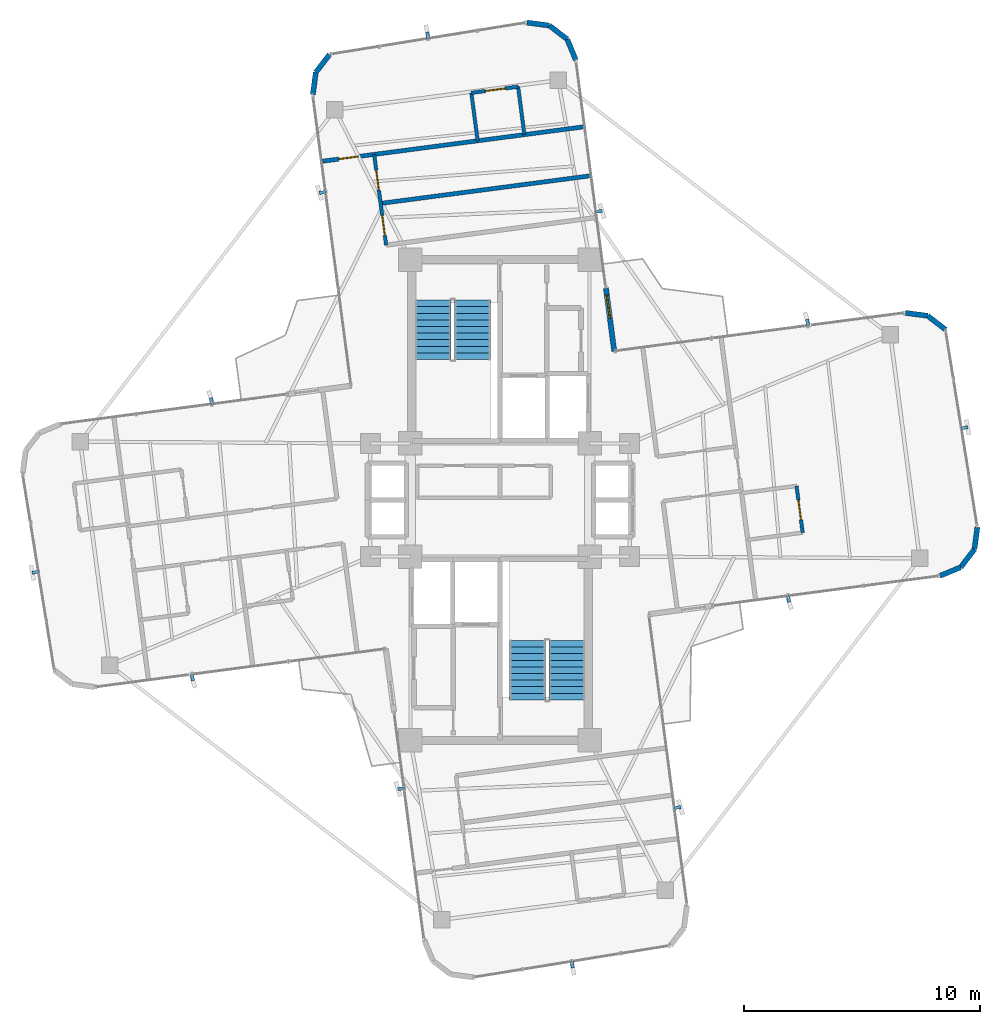
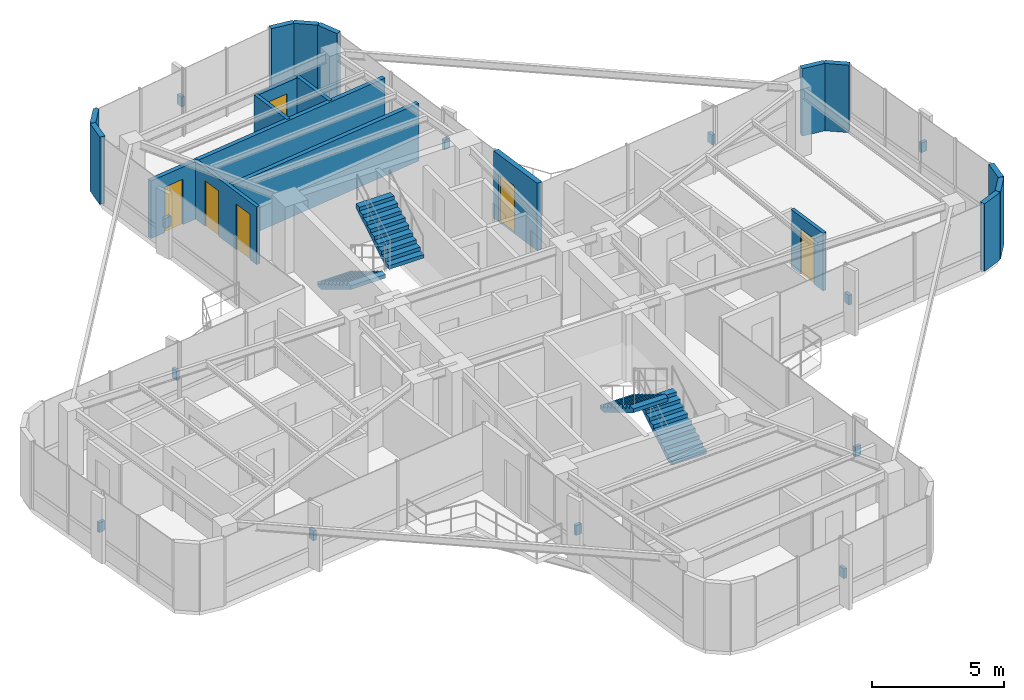
# One storey, part 21 of 22: 18 walls, 12 discrete accessories, 6 doors, 4 stair flights, 6 openings, 2 elements without a shape of their own.
"""IFC4 building model written with IfcOpenShell, lengths in metres."""

from ifc_helpers import new_model, si_unit, direction, frame, frame_2d, origin, origin_2d, place, context, subcontext, project, spatial, polyline, rectangle, outline, extrude, source, transform, mapped, material, layer, layer_set, type_object, element, fill, aggregate, save


model = new_model("IFC4")

# Units and contexts
model_context = context("Model", 3, precision=1e-05, world=origin(), true_north=direction((0.0, 1.0)))
body_context = subcontext(model_context, "Body", "Model", "MODEL_VIEW")
ifc_project = project(units=[si_unit("LENGTHUNIT", "METRE"), si_unit("AREAUNIT", "SQUARE_METRE"), si_unit("VOLUMEUNIT", "CUBIC_METRE"), si_unit("PLANEANGLEUNIT", "RADIAN"), si_unit("MASSUNIT", "GRAM", prefix="KILO")], contexts=[model_context])

# Site, building, storey
site_placement = place(None, origin())
site = spatial("IfcSite", under=ifc_project, at=site_placement, CompositionType="ELEMENT")
building_placement = place(site_placement, origin())
building = spatial("IfcBuilding", under=site, at=building_placement, Name="Sahyath Konkavel Grand Hotel", CompositionType="ELEMENT")
storey_placement = place(building_placement, frame((0.0, 0.0, 234.449951171875)))
storey = spatial("IfcBuildingStorey", under=building, at=storey_placement, Name="L65", CompositionType="ELEMENT", Elevation=234.449951171875)

# Walls
ifc_material_1 = material(Name="Warm Buff Sandstone Insulated Concrete C40/50", Category="masonry")
ifc_layer_1 = layer(ifc_material_1, 0.219970703125)
ifc_layer_set_1 = layer_set([ifc_layer_1], Name="Warm Buff Sandstone Insulated Concrete C40/50")
wall_type_1 = type_object("IfcWallType", Name="WLL-BALC-THRESH", PredefinedType="STANDARD", material=ifc_layer_set_1)
wall_1_placement = place(storey_placement, frame((18.6630859375, -3.220458984375, 0.0), z_axis=(0.0, 0.0, 1.0), x_axis=(0.923889442397, 0.382659506909, 0.0)))
element("IfcWall", 1, at=wall_1_placement, inside=storey, type_object=wall_type_1, Name="L65 Rounded Corner Sandstone Pier 1", PredefinedType="STANDARD", context=body_context, shape_type="SweptSolid", body=[
    extrude(rectangle(XDim=0.957763671875, YDim=0.219970703125, at=frame_2d((0.47900390625, 0.0))), origin(), (0.0, 0.0, 1.0), 3.110107421875),
])
for number, where, z_axis, x_axis, name in (
    (2, (19.5478515625, -2.85400390625, 0.0), (0.0, 0.0, 1.0), (0.60861352168, 0.793466811674, 0.0), "L65 Rounded Corner Sandstone Pier 2"),
    (3, (20.130615234375, -2.09423828125, 0.0), (0.0, 0.0, 1.0), (0.13056005306, 0.991440402921, 0.0), "L65 Rounded Corner Sandstone Pier 3"),
    (4, (18.902587890625, 7.233154296875, 0.0), (0.0, 0.0, 1.0), (-0.793249178392, 0.608897151398, 0.0), "L65 Rounded Corner Sandstone Pier 5"),
):
    element("IfcWall", number, at=place(storey_placement, frame(where, z_axis=z_axis, x_axis=x_axis)), inside=storey, type_object=wall_type_1, Name=name, PredefinedType="STANDARD", context=body_context, shape_type="SweptSolid", body=[
        extrude(rectangle(XDim=0.95751953125, YDim=0.219970703125, at=frame_2d((0.478759765625, 0.0))), origin(), (0.0, 0.0, 1.0), 3.110107421875),
    ])
wall_2_placement = place(storey_placement, frame((18.14306640625, 7.816162109375, 0.0), z_axis=(0.0, 0.0, 1.0), x_axis=(-0.991444747987, 0.130527053476, 0.0)))
element("IfcWall", 5, at=wall_2_placement, inside=storey, type_object=wall_type_1, Name="L65 Rounded Corner Sandstone Pier 6", PredefinedType="STANDARD", context=body_context, shape_type="SweptSolid", body=[
    extrude(rectangle(XDim=0.957763671875, YDim=0.219970703125, at=frame_2d((0.47900390625, 0.0))), origin(), (0.0, 0.0, 1.0), 3.110107421875),
])

# Wall, opening, door
wall_3_placement = place(storey_placement, frame((4.84619140625, 6.315673828125, 0.0), z_axis=(0.0, 0.0, 1.0), x_axis=(-0.130576147498, 0.991438283356, 0.0)))
wall_3 = element("IfcWall", 6, at=wall_3_placement, inside=storey, type_object=wall_type_1, Name="L65 Winter-Garden Threshold Wall 8", PredefinedType="STANDARD", context=body_context, shape_type="SweptSolid", body=[
    extrude(rectangle(XDim=2.699951171875, YDim=0.219970703125, at=frame_2d((1.35009765625, 0.0))), origin(), (0.0, 0.0, 1.0), 3.110107421875),
])
opening_1_placement = place(wall_3_placement, frame((1.39990234375, 0.0, 0.0)))
opening_1 = element("IfcOpeningElement", 7, at=opening_1_placement, cuts=wall_3, Name="Opening D-TR1", PredefinedType="OPENING", context=body_context, shape_type="SweptSolid", body=[
    extrude(rectangle(XDim=1.0, YDim=2.199951171875, at=frame_2d((0.5, 1.10009765625))), frame((0.0, 0.1201171875, 0.0), z_axis=(0.0, -1.0, 0.0), x_axis=(1.0, 0.0, 0.0)), (0.0, 0.0, 1.0), 0.239990234375),
])
ifc_material_2 = material(Name="Anodised Bronze Aluminium & Low-E Glazing", Category="aluminium")
door_type_1 = type_object("IfcDoorType", Name="DR-TERRACE-1000", OperationType="NOTDEFINED", PredefinedType="DOOR", material=ifc_material_2)
shared_shape_1 = source(origin(), body_context, "Body", "SweptSolid", [
    extrude(rectangle(XDim=1.0, YDim=0.050048828125, at=origin_2d()), origin(), (0.0, 0.0, 1.0), 2.199951171875),
])
door_1_placement = place(opening_1_placement, frame((0.5, 0.0, 0.0)))
door_1 = element("IfcDoor", 8, at=door_1_placement, inside=storey, type_object=door_type_1, Name="L65 Winter-Garden Terrace Door 8", OperationType="SINGLE_SWING_LEFT", OverallHeight=2.199951171875, OverallWidth=1.0, PredefinedType="DOOR", context=body_context, shape_type="MappedRepresentation", body=[
    mapped(shared_shape_1, transform((0.0, 0.0, 0.0), scale=1.0)),
])
fill(opening_1, door_1)

# Walls
wall_4_placement = place(storey_placement, frame((3.220458984375, 18.6630859375, 0.0), z_axis=(0.0, 0.0, 1.0), x_axis=(-0.382659506909, 0.923889442397, 0.0)))
element("IfcWall", 9, at=wall_4_placement, inside=storey, type_object=wall_type_1, Name="L65 Rounded Corner Sandstone Pier 9", PredefinedType="STANDARD", context=body_context, shape_type="SweptSolid", body=[
    extrude(rectangle(XDim=0.957763671875, YDim=0.219970703125, at=frame_2d((0.47900390625, 0.0))), origin(), (0.0, 0.0, 1.0), 3.110107421875),
])
for number, where, z_axis, x_axis, name in (
    (10, (2.85400390625, 19.5478515625, 0.0), (0.0, 0.0, 1.0), (-0.793466811674, 0.60861352168, 0.0), "L65 Rounded Corner Sandstone Pier 10"),
    (11, (2.09423828125, 20.130615234375, 0.0), (0.0, 0.0, 1.0), (-0.991440402921, 0.13056005306, 0.0), "L65 Rounded Corner Sandstone Pier 11"),
    (12, (-7.233154296875, 18.902587890625, 0.0), (0.0, 0.0, 1.0), (-0.608897151398, -0.793249178392, 0.0), "L65 Rounded Corner Sandstone Pier 13"),
):
    element("IfcWall", number, at=place(storey_placement, frame(where, z_axis=z_axis, x_axis=x_axis)), inside=storey, type_object=wall_type_1, Name=name, PredefinedType="STANDARD", context=body_context, shape_type="SweptSolid", body=[
        extrude(rectangle(XDim=0.95751953125, YDim=0.219970703125, at=frame_2d((0.478759765625, 0.0))), origin(), (0.0, 0.0, 1.0), 3.110107421875),
    ])
wall_5_placement = place(storey_placement, frame((-7.816162109375, 18.14306640625, 0.0), z_axis=(0.0, 0.0, 1.0), x_axis=(-0.130527053476, -0.991444747987, 0.0)))
element("IfcWall", 13, at=wall_5_placement, inside=storey, type_object=wall_type_1, Name="L65 Rounded Corner Sandstone Pier 14", PredefinedType="STANDARD", context=body_context, shape_type="SweptSolid", body=[
    extrude(rectangle(XDim=0.957763671875, YDim=0.219970703125, at=frame_2d((0.47900390625, 0.0))), origin(), (0.0, 0.0, 1.0), 3.110107421875),
])
ifc_material_3 = material(Name="Twin-Stud Acoustic Gypsum Plasterboard Partition")
ifc_layer_2 = layer(ifc_material_3, 0.179931640625)
ifc_layer_set_2 = layer_set([ifc_layer_2], Name="Twin-Stud Acoustic Gypsum Plasterboard Partition")
wall_type_2 = type_object("IfcWallType", Name="WLL-DEMISE-180", PredefinedType="PARTITIONING", material=ifc_layer_set_2)
wall_6_placement = place(storey_placement, frame((-5.064697265625, 12.58251953125, 0.0), z_axis=(0.0, 0.0, 1.0), x_axis=(0.991445759155, 0.130519372714, 0.0)))
element("IfcWall", 14, at=wall_6_placement, inside=storey, type_object=wall_type_2, Name="L65 Partition N-ND1-DEM", PredefinedType="PARTITIONING", context=body_context, shape_type="SweptSolid", body=[
    extrude(rectangle(XDim=8.9580078125, YDim=0.179931640625, at=frame_2d((4.47900390625, 0.0))), origin(), (0.0, 0.0, 1.0), 2.66015625),
])

# Wall, opening, door
wall_7_placement = place(storey_placement, frame((3.54296875, 15.830810546875, 0.0), z_axis=(0.0, 0.0, 1.0), x_axis=(-0.991446101459, -0.130516772493, 0.0)))
wall_7 = element("IfcWall", 15, at=wall_7_placement, inside=storey, type_object=wall_type_2, Name="L65 Partition N-NTIP-END", PredefinedType="PARTITIONING", context=body_context, shape_type="SweptSolid", body=[
    extrude(rectangle(XDim=11.157958984375, YDim=0.179931640625, at=frame_2d((5.5791015625, 0.0))), origin(), (0.0, 0.0, 1.0), 2.66015625),
])
opening_2_placement = place(wall_7_placement, frame((9.633056640625, 0.0, 0.0)))
opening_2 = element("IfcOpeningElement", 16, at=opening_2_placement, cuts=wall_7, Name="Opening D-F06D", PredefinedType="OPENING", context=body_context, shape_type="SweptSolid", body=[
    extrude(rectangle(XDim=0.85009765625, YDim=2.10009765625, at=frame_2d((0.425048828125, 1.050048828125))), frame((0.0, 0.10009765625, 0.0), z_axis=(0.0, -1.0, 0.0), x_axis=(1.0, 0.0, 0.0)), (0.0, 0.0, 1.0), 0.199951171875),
])
ifc_material_4 = material(Name="Fire-Rated Shaft Access Door")
door_type_2 = type_object("IfcDoorType", Name="DR-FD60-850", OperationType="NOTDEFINED", PredefinedType="DOOR", material=ifc_material_4)
shared_shape_2 = source(origin(), body_context, "Body", "SweptSolid", [
    extrude(rectangle(XDim=0.85009765625, YDim=0.050048828125, at=origin_2d()), origin(), (0.0, 0.0, 1.0), 2.10009765625),
])
door_2_placement = place(opening_2_placement, frame((0.425048828125, 0.0, 0.0)))
door_2 = element("IfcDoor", 17, at=door_2_placement, inside=storey, type_object=door_type_2, Name="L65 Door N-NTIP-ED", OperationType="SINGLE_SWING_RIGHT", OverallHeight=2.10009765625, OverallWidth=0.85009765625, PredefinedType="DOOR", context=body_context, shape_type="MappedRepresentation", body=[
    mapped(shared_shape_2, transform((0.0, 0.0, 0.0), scale=1.0)),
])
fill(opening_2, door_2)

ifc_material_5 = material(Name="Fire-Rated Gypsum Plasterboard Partition")
ifc_layer_3 = layer(ifc_material_5, 0.14990234375)
ifc_layer_set_3 = layer_set([ifc_layer_3], Name="Fire-Rated Gypsum Plasterboard Partition")
wall_type_3 = type_object("IfcWallType", Name="WLL-PART-150", PredefinedType="PARTITIONING", material=ifc_layer_set_3)
wall_8_placement = place(storey_placement, frame((12.8408203125, -1.3857421875, 0.0), z_axis=(0.0, 0.0, 1.0), x_axis=(-0.130612392842, 0.991433509034, 0.0)))
wall_8 = element("IfcWall", 18, at=wall_8_placement, inside=storey, type_object=wall_type_3, Name="L65 Partition E-ETIP-BE", PredefinedType="PARTITIONING", context=body_context, shape_type="SweptSolid", body=[
    extrude(rectangle(XDim=2.0, YDim=0.14990234375, at=frame_2d((1.0, 0.0))), origin(), (0.0, 0.0, 1.0), 2.66015625),
])
opening_3_placement = place(wall_8_placement, frame((0.550048828125, 0.0, 0.0)))
opening_3 = element("IfcOpeningElement", 19, at=opening_3_placement, cuts=wall_8, Name="Opening D-BT85", PredefinedType="OPENING", context=body_context, shape_type="SweptSolid", body=[
    extrude(rectangle(XDim=0.85009765625, YDim=2.10009765625, at=frame_2d((0.425048828125, 1.050048828125))), frame((0.0, 0.0849609375, 0.0), z_axis=(0.0, -1.0, 0.0), x_axis=(1.0, 0.0, 0.0)), (0.0, 0.0, 1.0), 0.169921875),
])
ifc_material_6 = material(Name="Moisture-Resistant Teak Bathroom Door")
door_type_3 = type_object("IfcDoorType", Name="DR-BATH-850", OperationType="NOTDEFINED", PredefinedType="DOOR", material=ifc_material_6)
door_3_placement = place(opening_3_placement, frame((0.425048828125, 0.0, 0.0)))
door_3 = element("IfcDoor", 20, at=door_3_placement, inside=storey, type_object=door_type_3, Name="L65 Door E-ETIP-BD", OperationType="SINGLE_SWING_LEFT", OverallHeight=2.10009765625, OverallWidth=0.85009765625, PredefinedType="DOOR", context=body_context, shape_type="MappedRepresentation", body=[
    mapped(shared_shape_2, transform((0.0, 0.0, 0.0), scale=1.0)),
])
fill(opening_3, door_3)

# Wall, openings, doors
wall_9_placement = place(storey_placement, frame((-4.83154296875, 10.81201171875, 0.0), z_axis=(0.0, 0.0, 1.0), x_axis=(-0.130532584045, 0.991444019853, 0.0)))
wall_9 = element("IfcWall", 21, at=wall_9_placement, inside=storey, type_object=wall_type_3, Name="L65 Partition N-G5W", PredefinedType="PARTITIONING", context=body_context, shape_type="SweptSolid", body=[
    extrude(rectangle(XDim=3.8828125, YDim=0.14990234375, at=frame_2d((1.94140625, 0.0))), origin(), (0.0, 0.0, 1.0), 2.66015625),
])
opening_4_placement = place(wall_9_placement, frame((0.41796875, 0.0, 0.0)))
opening_4 = element("IfcOpeningElement", 22, at=opening_4_placement, cuts=wall_9, Name="Opening D-F06D", PredefinedType="OPENING", context=body_context, shape_type="SweptSolid", body=[
    extrude(rectangle(XDim=0.85009765625, YDim=2.10009765625, at=frame_2d((0.425048828125, 1.050048828125))), frame((0.0, 0.0849609375, 0.0), z_axis=(0.0, -1.0, 0.0), x_axis=(1.0, 0.0, 0.0)), (0.0, 0.0, 1.0), 0.169921875),
])
opening_5_placement = place(wall_9_placement, frame((2.360107421875, 0.0, 0.0)))
opening_5 = element("IfcOpeningElement", 23, at=opening_5_placement, cuts=wall_9, Name="Opening D-F06D", PredefinedType="OPENING", context=body_context, shape_type="SweptSolid", body=[
    extrude(rectangle(XDim=0.85009765625, YDim=2.10009765625, at=frame_2d((0.425048828125, 1.050048828125))), frame((0.0, 0.0849609375, 0.0), z_axis=(0.0, -1.0, 0.0), x_axis=(1.0, 0.0, 0.0)), (0.0, 0.0, 1.0), 0.169921875),
])
door_4_placement = place(opening_4_placement, frame((0.425048828125, 0.0, 0.0)))
door_4 = element("IfcDoor", 24, at=door_4_placement, inside=storey, type_object=door_type_2, Name="L65 Door N-ND1-D", OperationType="SINGLE_SWING_LEFT", OverallHeight=2.10009765625, OverallWidth=0.85009765625, PredefinedType="DOOR", context=body_context, shape_type="MappedRepresentation", body=[
    mapped(shared_shape_2, transform((0.0, 0.0, 0.0), scale=1.0)),
])
fill(opening_4, door_4)
door_5_placement = place(opening_5_placement, frame((0.425048828125, 0.0, 0.0)))
door_5 = element("IfcDoor", 25, at=door_5_placement, inside=storey, type_object=door_type_2, Name="L65 Door N-ND2-D", OperationType="SINGLE_SWING_RIGHT", OverallHeight=2.10009765625, OverallWidth=0.85009765625, PredefinedType="DOOR", context=body_context, shape_type="MappedRepresentation", body=[
    mapped(shared_shape_2, transform((0.0, 0.0, 0.0), scale=1.0)),
])
fill(opening_5, door_5)

# Walls
for number, where, z_axis, x_axis, name in (
    (26, (-0.947265625, 15.23974609375, 0.0), (0.0, 0.0, 1.0), (-0.13052536781, 0.991444969909, 0.0), "L65 Partition N-NTIP-BN"),
    (27, (1.03564453125, 15.500732421875, 0.0), (0.0, 0.0, 1.0), (-0.13052536781, 0.991444969909, 0.0), "L65 Partition N-NTIP-BS"),
):
    element("IfcWall", number, at=place(storey_placement, frame(where, z_axis=z_axis, x_axis=x_axis)), inside=storey, type_object=wall_type_3, Name=name, PredefinedType="PARTITIONING", context=body_context, shape_type="SweptSolid", body=[
        extrude(rectangle(XDim=2.050048828125, YDim=0.14990234375, at=frame_2d((1.02490234375, 0.0))), origin(), (0.0, 0.0, 1.0), 2.66015625),
    ])

# Wall, opening, door
wall_10_placement = place(storey_placement, frame((0.76806640625, 17.533203125, 0.0), z_axis=(0.0, 0.0, 1.0), x_axis=(-0.991449308994, -0.130492404742, 0.0)))
wall_10 = element("IfcWall", 28, at=wall_10_placement, inside=storey, type_object=wall_type_3, Name="L65 Partition N-NTIP-BE", PredefinedType="PARTITIONING", context=body_context, shape_type="SweptSolid", body=[
    extrude(rectangle(XDim=2.0, YDim=0.14990234375, at=frame_2d((1.0, 0.0))), origin(), (0.0, 0.0, 1.0), 2.630126953125),
])
opening_6_placement = place(wall_10_placement, frame((0.550048828125, 0.0, 0.0)))
opening_6 = element("IfcOpeningElement", 29, at=opening_6_placement, cuts=wall_10, Name="Opening D-BT85", PredefinedType="OPENING", context=body_context, shape_type="SweptSolid", body=[
    extrude(rectangle(XDim=0.85009765625, YDim=2.10009765625, at=frame_2d((0.425048828125, 1.050048828125))), frame((0.0, 0.0849609375, 0.0), z_axis=(0.0, -1.0, 0.0), x_axis=(1.0, 0.0, 0.0)), (0.0, 0.0, 1.0), 0.169921875),
])
door_6_placement = place(opening_6_placement, frame((0.425048828125, 0.0, 0.0)))
door_6 = element("IfcDoor", 30, at=door_6_placement, inside=storey, type_object=door_type_3, Name="L65 Door N-NTIP-BD", OperationType="SINGLE_SWING_LEFT", OverallHeight=2.10009765625, OverallWidth=0.85009765625, PredefinedType="DOOR", context=body_context, shape_type="MappedRepresentation", body=[
    mapped(shared_shape_2, transform((0.0, 0.0, 0.0), scale=1.0)),
])
fill(opening_6, door_6)

# Stair, stair flights
ifc_material_7 = material(Name="Concrete C40/50", Category="concrete")
stair_type = type_object("IfcStairType", Name="STR-ST16-335", PredefinedType="HALF_TURN_STAIR", material=ifc_material_7)
stair_1_placement = place(storey_placement, origin())
stair_1 = element("IfcStair", 31, at=stair_1_placement, inside=storey, type_object=stair_type, Name="L65 North Core Smokeproof Exit Stair ST-1", PredefinedType="HALF_TURN_STAIR")
stair_flight_type = type_object("IfcStairFlightType", Name="STF-ST16-335", PredefinedType="STRAIGHT", material=ifc_material_7)
stair_flight_1_placement = place(storey_placement, frame((-2.840087890625, 8.47998046875, 0.0), z_axis=(0.0, 0.0, 1.0), x_axis=(0.0, -1.0, 0.0)))
stair_flight_1 = element("IfcStairFlight", 32, at=stair_flight_1_placement, type_object=stair_flight_type, Name="ST-1 flight 1", NumberOfRisers=10, NumberOfTreads=9, PredefinedType="STRAIGHT", RiserHeight=0.1675, TreadLength=0.28, context=body_context, shape_type="SweptSolid", body=[
    extrude(outline(polyline([(0.0, 0.0), (0.0, 0.16748046875), (0.280029296875, 0.16748046875), (0.280029296875, 0.3349609375), (0.56005859375, 0.3349609375), (0.56005859375, 0.50244140625), (0.840087890625, 0.50244140625), (0.840087890625, 0.669921875), (1.1201171875, 0.669921875), (1.1201171875, 0.83740234375), (1.39990234375, 0.83740234375), (1.39990234375, 1.0048828125), (1.679931640625, 1.0048828125), (1.679931640625, 1.172607421875), (1.9599609375, 1.172607421875), (1.9599609375, 1.340087890625), (2.239990234375, 1.340087890625), (2.239990234375, 1.507568359375), (2.52001953125, 1.507568359375), (2.52001953125, 1.675048828125), (2.52001953125, 1.332763671875), (0.2919921875, 0.0), (0.0, 0.0)])), frame((0.0, 0.760009765625, 0.0), z_axis=(0.0, -1.0, 0.0), x_axis=(1.0, 0.0, 0.0)), (0.0, 0.0, 1.0), 1.52001953125),
])
stair_flight_2_placement = place(storey_placement, frame((-1.159912109375, 5.9599609375, 1.675048828125), z_axis=(0.0, 0.0, 1.0), x_axis=(0.0, 1.0, 0.0)))
stair_flight_2 = element("IfcStairFlight", 33, at=stair_flight_2_placement, type_object=stair_flight_type, Name="ST-1 flight 2", NumberOfRisers=10, NumberOfTreads=9, PredefinedType="STRAIGHT", RiserHeight=0.1675, TreadLength=0.28, context=body_context, shape_type="SweptSolid", body=[
    extrude(outline(polyline([(0.0, 0.0), (0.0, 0.16748046875), (0.280029296875, 0.16748046875), (0.280029296875, 0.3349609375), (0.56005859375, 0.3349609375), (0.56005859375, 0.50244140625), (0.840087890625, 0.50244140625), (0.840087890625, 0.669921875), (1.1201171875, 0.669921875), (1.1201171875, 0.83740234375), (1.39990234375, 0.83740234375), (1.39990234375, 1.0048828125), (1.679931640625, 1.0048828125), (1.679931640625, 1.172607421875), (1.9599609375, 1.172607421875), (1.9599609375, 1.340087890625), (2.239990234375, 1.340087890625), (2.239990234375, 1.507568359375), (2.52001953125, 1.507568359375), (2.52001953125, 1.675048828125), (2.52001953125, 1.332763671875), (0.2919921875, 0.0), (0.0, 0.0)])), frame((0.0, 0.760009765625, 0.0), z_axis=(0.0, -1.0, 0.0), x_axis=(1.0, 0.0, 0.0)), (0.0, 0.0, 1.0), 1.52001953125),
])
aggregate(stair_1, [stair_flight_1, stair_flight_2])

stair_2_placement = place(storey_placement, origin())
stair_2 = element("IfcStair", 34, at=stair_2_placement, inside=storey, type_object=stair_type, Name="L65 South Core Smokeproof Exit Stair ST-2", PredefinedType="HALF_TURN_STAIR")
stair_flight_3_placement = place(storey_placement, frame((2.840087890625, -8.47998046875, 0.0), z_axis=(0.0, 0.0, 1.0), x_axis=(0.0, 1.0, 0.0)))
stair_flight_3 = element("IfcStairFlight", 35, at=stair_flight_3_placement, type_object=stair_flight_type, Name="ST-2 flight 1", NumberOfRisers=10, NumberOfTreads=9, PredefinedType="STRAIGHT", RiserHeight=0.1675, TreadLength=0.28, context=body_context, shape_type="SweptSolid", body=[
    extrude(outline(polyline([(0.0, 0.0), (0.0, 0.16748046875), (0.280029296875, 0.16748046875), (0.280029296875, 0.3349609375), (0.56005859375, 0.3349609375), (0.56005859375, 0.50244140625), (0.840087890625, 0.50244140625), (0.840087890625, 0.669921875), (1.1201171875, 0.669921875), (1.1201171875, 0.83740234375), (1.39990234375, 0.83740234375), (1.39990234375, 1.0048828125), (1.679931640625, 1.0048828125), (1.679931640625, 1.172607421875), (1.9599609375, 1.172607421875), (1.9599609375, 1.340087890625), (2.239990234375, 1.340087890625), (2.239990234375, 1.507568359375), (2.52001953125, 1.507568359375), (2.52001953125, 1.675048828125), (2.52001953125, 1.332763671875), (0.2919921875, 0.0), (0.0, 0.0)])), frame((0.0, 0.760009765625, 0.0), z_axis=(0.0, -1.0, 0.0), x_axis=(1.0, 0.0, 0.0)), (0.0, 0.0, 1.0), 1.52001953125),
])
stair_flight_4_placement = place(storey_placement, frame((1.159912109375, -5.9599609375, 1.675048828125), z_axis=(0.0, 0.0, 1.0), x_axis=(0.0, -1.0, 0.0)))
stair_flight_4 = element("IfcStairFlight", 36, at=stair_flight_4_placement, type_object=stair_flight_type, Name="ST-2 flight 2", NumberOfRisers=10, NumberOfTreads=9, PredefinedType="STRAIGHT", RiserHeight=0.1675, TreadLength=0.28, context=body_context, shape_type="SweptSolid", body=[
    extrude(outline(polyline([(0.0, 0.0), (0.0, 0.16748046875), (0.280029296875, 0.16748046875), (0.280029296875, 0.3349609375), (0.56005859375, 0.3349609375), (0.56005859375, 0.50244140625), (0.840087890625, 0.50244140625), (0.840087890625, 0.669921875), (1.1201171875, 0.669921875), (1.1201171875, 0.83740234375), (1.39990234375, 0.83740234375), (1.39990234375, 1.0048828125), (1.679931640625, 1.0048828125), (1.679931640625, 1.172607421875), (1.9599609375, 1.172607421875), (1.9599609375, 1.340087890625), (2.239990234375, 1.340087890625), (2.239990234375, 1.507568359375), (2.52001953125, 1.507568359375), (2.52001953125, 1.675048828125), (2.52001953125, 1.332763671875), (0.2919921875, 0.0), (0.0, 0.0)])), frame((0.0, 0.760009765625, 0.0), z_axis=(0.0, -1.0, 0.0), x_axis=(1.0, 0.0, 0.0)), (0.0, 0.0, 1.0), 1.52001953125),
])
aggregate(stair_2, [stair_flight_3, stair_flight_4])

# Discrete accessories
ifc_material_8 = material(Name="Steel E350", Category="steel")
discrete_accessory_type = type_object("IfcDiscreteAccessoryType", Name="ACC-FIN-BRACKET", PredefinedType="BRACKET", material=ifc_material_8)
shared_shape_3 = source(origin(), body_context, "Body", "SweptSolid", [
    extrude(rectangle(XDim=0.280029296875, YDim=0.139892578125, at=origin_2d()), origin(), (0.0, 0.0, 1.0), 0.449951171875),
])
for number, where, z_axis, x_axis, name in (
    (37, (12.24609375, -4.196533203125, 1.330078125), (0.0, 0.0, 1.0), (0.13052619222, -0.991444861374, 0.0), "L65 Fin Support Bracket F0-1"),
    (38, (19.70751953125, 3.06494140625, 1.330078125), (0.0, 0.0, 1.0), (0.987208715216, 0.159433223018, 0.0), "L65 Fin Support Bracket F4-2"),
    (39, (13.047607421875, 7.5263671875, 1.330078125), (0.0, 0.0, 1.0), (-0.13052619222, 0.991444861374, 0.0), "L65 Fin Support Bracket F7-1"),
    (40, (4.196533203125, 12.24609375, 1.330078125), (0.0, 0.0, 1.0), (0.991444861374, 0.13052619222, 0.0), "L65 Fin Support Bracket F8-1"),
    (41, (-3.06494140625, 19.70751953125, 1.330078125), (0.0, 0.0, 1.0), (-0.159433223018, 0.987208715216, 0.0), "L65 Fin Support Bracket F12-2"),
    (42, (-7.5263671875, 13.047607421875, 1.330078125), (0.0, 0.0, 1.0), (-0.991444861374, -0.13052619222, 0.0), "L65 Fin Support Bracket F15-1"),
    (43, (-12.24609375, 4.196533203125, 1.330078125), (0.0, 0.0, 1.0), (-0.13052619222, 0.991444861374, 0.0), "L65 Fin Support Bracket F16-1"),
    (44, (-19.70751953125, -3.06494140625, 1.330078125), (0.0, 0.0, 1.0), (-0.987208715216, -0.159433223018, 0.0), "L65 Fin Support Bracket F20-2"),
    (45, (-13.047607421875, -7.5263671875, 1.330078125), (0.0, 0.0, 1.0), (0.13052619222, -0.991444861374, 0.0), "L65 Fin Support Bracket F23-1"),
    (46, (-4.196533203125, -12.24609375, 1.330078125), (0.0, 0.0, 1.0), (-0.991444861374, -0.13052619222, 0.0), "L65 Fin Support Bracket F24-1"),
    (47, (3.06494140625, -19.70751953125, 1.330078125), (0.0, 0.0, 1.0), (0.159433223018, -0.987208715216, 0.0), "L65 Fin Support Bracket F28-2"),
    (48, (7.5263671875, -13.047607421875, 1.330078125), (0.0, 0.0, 1.0), (0.991444861374, 0.13052619222, 0.0), "L65 Fin Support Bracket F31-1"),
):
    element("IfcDiscreteAccessory", number, at=place(storey_placement, frame(where, z_axis=z_axis, x_axis=x_axis)), inside=storey, type_object=discrete_accessory_type, Name=name, PredefinedType="BRACKET", context=body_context, shape_type="MappedRepresentation", body=[
        mapped(shared_shape_3, transform((0.0, 0.0, 0.0), scale=1.0)),
    ])

save(model, "model.ifc")
